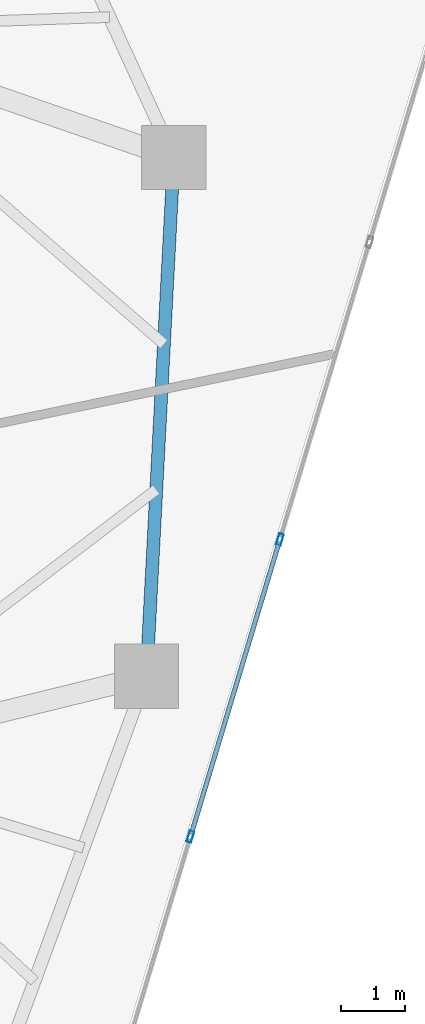
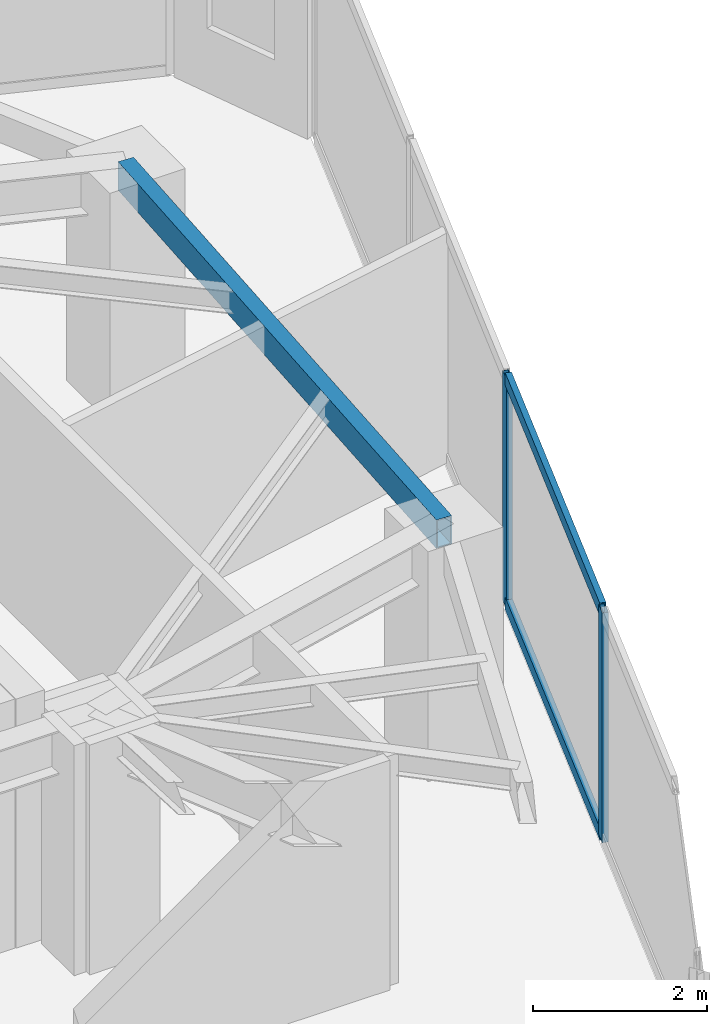
# One storey, part 9 of 19: 4 members, 1 beam, 1 element without a shape of its own.
"""IFC4 building model written with IfcOpenShell, lengths in metres."""

from ifc_helpers import new_model, si_unit, direction, frame, origin, origin_2d, place, context, subcontext, project, spatial, hollow_rectangle, extrude, source, transform, mapped, material, layer, layer_set, material_profile, profile_set, type_object, type_shapes, element, aggregate, save


model = new_model("IFC4")

# Units and contexts
model_context = context("Model", 3, precision=1e-05, world=origin(), true_north=direction((0.0, 1.0)))
body_context = subcontext(model_context, "Body", "Model", "MODEL_VIEW")
ifc_project = project(units=[si_unit("LENGTHUNIT", "METRE"), si_unit("AREAUNIT", "SQUARE_METRE"), si_unit("VOLUMEUNIT", "CUBIC_METRE"), si_unit("PLANEANGLEUNIT", "RADIAN"), si_unit("MASSUNIT", "GRAM", prefix="KILO")], contexts=[model_context])

# Site, building, storey
site_placement = place(None, origin())
site = spatial("IfcSite", under=ifc_project, at=site_placement, CompositionType="ELEMENT")
building_placement = place(site_placement, origin())
building = spatial("IfcBuilding", under=site, at=building_placement, Name="Talar Marvaseh", CompositionType="ELEMENT")
storey_placement = place(building_placement, frame((0.0, 0.0, 177.5)))
storey = spatial("IfcBuildingStorey", under=building, at=storey_placement, Name="L46", CompositionType="ELEMENT", Elevation=177.5)

# Beam
ifc_material_1 = material(Name="Steel S355", Category="steel")
ifc_material_profile_1 = material_profile(ifc_material_1, hollow_rectangle(XDim=0.199951171875, YDim=0.39990234375, WallThickness=0.013916015625, at=origin_2d()), Name="RHS400x200x14")
ifc_profile_set_1 = profile_set([ifc_material_profile_1], Name="Steel S355")
beam_type = type_object("IfcBeamType", Name="Zone 3 Perimeter Spandrel Beam RHS400x200x14", PredefinedType="SPANDREL", material=ifc_profile_set_1)
beam_placement = place(storey_placement, frame((39.113037109375, 34.884033203125, 3.030029296875), z_axis=(-0.052541369293, -0.998618748328, 0.0), x_axis=(0.998618748328, -0.052541369293, 0.0)))
element("IfcBeam", 1, at=beam_placement, inside=storey, type_object=beam_type, Name="L46 Zone 3 Perimeter Spandrel Beam RHS400x200x14", PredefinedType="SPANDREL", context=body_context, shape_type="SweptSolid", body=[
    extrude(hollow_rectangle(XDim=0.199951171875, YDim=0.39990234375, WallThickness=0.013916015625, at=origin_2d()), origin(), (0.0, 0.0, 1.0), 8.0712890625),
])

# Curtain wall, members
ifc_material_2 = material(Name="Architectural Aluminium", Category="aluminium")
ifc_layer = layer(ifc_material_2, 0.18994140625)
ifc_layer_set = layer_set([ifc_layer], Name="Architectural Aluminium")
curtain_wall_type = type_object("IfcCurtainWallType", Name="Unitised Solar Atelier Curtain Wall Z3", PredefinedType="NOTDEFINED", material=ifc_layer_set)
curtain_wall_placement = place(storey_placement, origin())
curtain_wall = element("IfcCurtainWall", 2, at=curtain_wall_placement, inside=storey, type_object=curtain_wall_type, Name="L46 Unitised Solar Atelier Curtain Wall Z3", PredefinedType="NOTDEFINED")
ifc_material_profile_2 = material_profile(ifc_material_2, hollow_rectangle(XDim=0.074951171875, YDim=0.179931640625, WallThickness=0.0048828125, at=origin_2d()), Name="RHS180x75x5")
ifc_profile_set_2 = profile_set([ifc_material_profile_2], Name="Architectural Aluminium")
member_type_1 = type_object("IfcMemberType", Name="Unitised Curtain Wall Standard Mullion RHS180x75x5", PredefinedType="MULLION", material=ifc_profile_set_2)
shared_shape_1 = source(origin(), body_context, "Body", "SweptSolid", [
    extrude(hollow_rectangle(XDim=0.074951171875, YDim=0.179931640625, WallThickness=0.0048828125, at=origin_2d()), origin(), (0.0, 0.0, 1.0), 3.22998046875),
])
type_shapes(member_type_1, [shared_shape_1])
member_1_placement = place(storey_placement, frame((40.762939453125, 28.95166015625, 0.0), z_axis=(0.0, 0.0, 1.0), x_axis=(0.957526109569, -0.288346578779, 0.0)))
member_1 = element("IfcMember", 3, at=member_1_placement, type_object=member_type_1, Name="CW-Z3 mullion 3", PredefinedType="MULLION", context=body_context, shape_type="MappedRepresentation", body=[
    mapped(shared_shape_1, transform((0.0, 0.0, 0.0), x_axis=(1.0, 0.0, 0.0), y_axis=(0.0, 1.0, 0.0), z_axis=(0.0, 0.0, 1.0), scale=1.0)),
])
member_2_placement = place(storey_placement, frame((39.372314453125, 24.334228515625, 0.0), z_axis=(0.0, 0.0, 1.0), x_axis=(0.957526109569, -0.288346578779, 0.0)))
member_2 = element("IfcMember", 4, at=member_2_placement, type_object=member_type_1, Name="CW-Z3 mullion 4", PredefinedType="MULLION", context=body_context, shape_type="MappedRepresentation", body=[
    mapped(shared_shape_1, transform((0.0, 0.0, 0.0), x_axis=(1.0, 0.0, 0.0), y_axis=(0.0, 1.0, 0.0), z_axis=(0.0, 0.0, 1.0), scale=1.0)),
])
ifc_material_profile_3 = material_profile(ifc_material_2, hollow_rectangle(XDim=0.074951171875, YDim=0.179931640625, WallThickness=0.0048828125, at=origin_2d()), Name="RHS180x75x5")
ifc_profile_set_3 = profile_set([ifc_material_profile_3], Name="Architectural Aluminium")
member_type_2 = type_object("IfcMemberType", Name="Unitised Curtain Wall Transom RHS180x75x5", PredefinedType="USERDEFINED", material=ifc_profile_set_3)
shared_shape_2 = source(origin(), body_context, "Body", "SweptSolid", [
    extrude(hollow_rectangle(XDim=0.074951171875, YDim=0.179931640625, WallThickness=0.0048828125, at=origin_2d()), origin(), (0.0, 0.0, 1.0), 4.7470703125),
])
type_shapes(member_type_2, [shared_shape_2])
member_3_placement = place(storey_placement, frame((40.751953125, 28.915771484375, 0.03759765625), z_axis=(-0.288319728041, -0.95753419491, 0.0), x_axis=(0.95753419491, -0.288319728041, 0.0)))
member_3 = element("IfcMember", 5, at=member_3_placement, type_object=member_type_2, Name="CW-Z3 transom 3.1", ObjectType="TRANSOM", PredefinedType="USERDEFINED", context=body_context, shape_type="MappedRepresentation", body=[
    mapped(shared_shape_2, transform((0.0, 0.0, 0.0), x_axis=(1.0, 0.0, 0.0), y_axis=(0.0, 1.0, 0.0), z_axis=(0.0, 0.0, 1.0), scale=1.0)),
])
member_4_placement = place(storey_placement, frame((40.751953125, 28.915771484375, 3.1923828125), z_axis=(-0.288319728041, -0.95753419491, 0.0), x_axis=(0.95753419491, -0.288319728041, 0.0)))
member_4 = element("IfcMember", 6, at=member_4_placement, type_object=member_type_2, Name="CW-Z3 transom 3.2", ObjectType="TRANSOM", PredefinedType="USERDEFINED", context=body_context, shape_type="MappedRepresentation", body=[
    mapped(shared_shape_2, transform((0.0, 0.0, 0.0), x_axis=(1.0, 0.0, 0.0), y_axis=(0.0, 1.0, 0.0), z_axis=(0.0, 0.0, 1.0), scale=1.0)),
])
aggregate(curtain_wall, [member_1, member_2, member_3, member_4])

save(model, "model.ifc")
